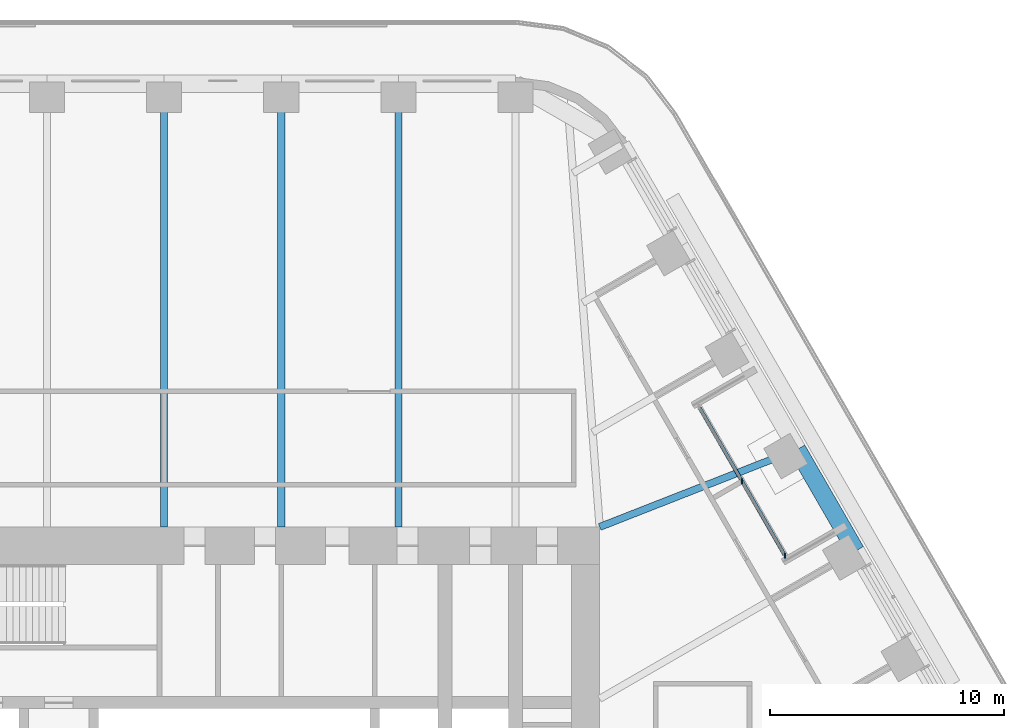
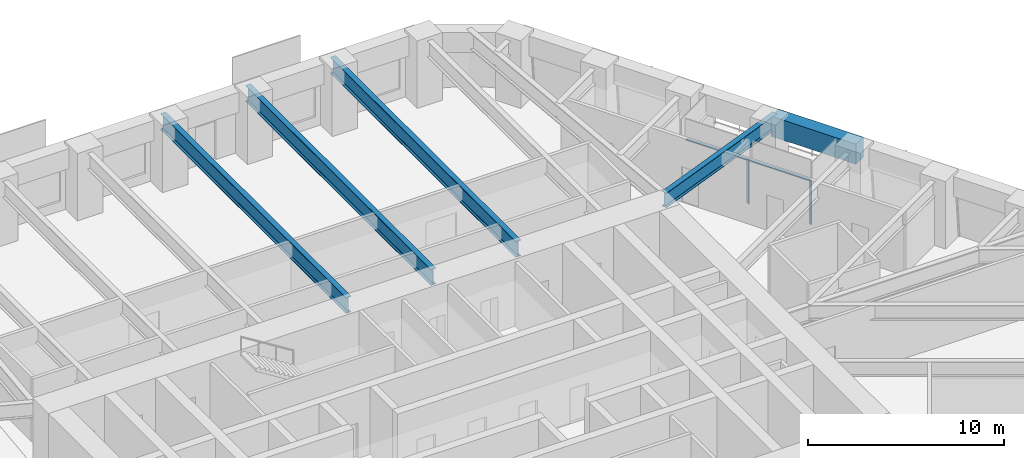
# One storey, part 11 of 24: 5 beams, 3 members, 1 element without a shape of its own.
"""IFC4 building model written with IfcOpenShell, lengths in metres."""

from ifc_helpers import new_model, si_unit, direction, frame, origin, origin_2d, place, context, subcontext, project, spatial, rectangle, i_section, extrude, material, material_profile, profile_set, type_object, element, aggregate, save


model = new_model("IFC4")

# Units and contexts
model_context = context("Model", 3, precision=1e-05, world=origin(), true_north=direction((0.0, 1.0)))
body_context = subcontext(model_context, "Body", "Model", "MODEL_VIEW")
ifc_project = project(units=[si_unit("LENGTHUNIT", "METRE"), si_unit("AREAUNIT", "SQUARE_METRE"), si_unit("VOLUMEUNIT", "CUBIC_METRE"), si_unit("PLANEANGLEUNIT", "RADIAN"), si_unit("MASSUNIT", "GRAM", prefix="KILO")], contexts=[model_context])

# Site, building, storey
site_placement = place(None, origin())
site = spatial("IfcSite", under=ifc_project, at=site_placement, CompositionType="ELEMENT")
building_placement = place(site_placement, origin())
building = spatial("IfcBuilding", under=site, at=building_placement, Name="Tarfa Lantern Tower", CompositionType="ELEMENT")
storey_placement = place(building_placement, frame((0.0, 0.0, 190.89990234375)))
storey = spatial("IfcBuildingStorey", under=building, at=storey_placement, Name="L43", CompositionType="ELEMENT", Elevation=190.89990234375)

# Curtain wall, members
ifc_material_1 = material(Name="Aluminium framed curtain wall", Category="aluminium")
curtain_wall_type = type_object("IfcCurtainWallType", Name="CW10 LOGGIA GLAZING 2750", PredefinedType="USERDEFINED", material=ifc_material_1)
curtain_wall_placement = place(storey_placement, origin())
curtain_wall = element("IfcCurtainWall", 1, at=curtain_wall_placement, inside=storey, type_object=curtain_wall_type, Name="CW10 NEL L43", ObjectType="CURTAIN WALL", PredefinedType="USERDEFINED")
ifc_material_2 = material(Name="Aluminium mullion", Category="aluminium")
ifc_material_profile_1 = material_profile(ifc_material_2, rectangle(XDim=0.06494140625, YDim=0.199951171875, at=origin_2d()), Name="AL MULLION 65x200")
ifc_profile_set_1 = profile_set([ifc_material_profile_1], Name="Aluminium mullion")
member_type_1 = type_object("IfcMemberType", Name="CWM1 MULLION 65x200", PredefinedType="MULLION", material=ifc_profile_set_1)
member_1_placement = place(storey_placement, frame((26.517333984375, 11.070556640625, 0.0), z_axis=(0.0, 0.0, 1.0), x_axis=(1.0, 0.0, 0.0)))
member_1 = element("IfcMember", 2, at=member_1_placement, type_object=member_type_1, Name="CW10 mullion 1", PredefinedType="MULLION", context=body_context, shape_type="SweptSolid", body=[
    extrude(rectangle(XDim=0.06494140625, YDim=0.199951171875, at=origin_2d()), origin(), (0.0, 0.0, 1.0), 2.75),
])
member_2_placement = place(storey_placement, frame((24.681640625, 14.25, 0.0), z_axis=(0.0, 0.0, 1.0), x_axis=(1.0, 0.0, 0.0)))
member_2 = element("IfcMember", 3, at=member_2_placement, type_object=member_type_1, Name="CW10 mullion 2", PredefinedType="MULLION", context=body_context, shape_type="SweptSolid", body=[
    extrude(rectangle(XDim=0.06494140625, YDim=0.199951171875, at=origin_2d()), origin(), (0.0, 0.0, 1.0), 2.75),
])
ifc_material_3 = material(Name="Aluminium transom", Category="aluminium")
ifc_material_profile_2 = material_profile(ifc_material_3, rectangle(XDim=0.14990234375, YDim=0.06494140625, at=origin_2d()), Name="AL TRANSOM 150x65")
ifc_profile_set_2 = profile_set([ifc_material_profile_2], Name="Aluminium transom")
member_type_2 = type_object("IfcMemberType", Name="CWT1 TRANSOM 150x65", PredefinedType="USERDEFINED", material=ifc_profile_set_2)
member_3_placement = place(storey_placement, frame((26.5009765625, 11.098876953125, 2.717529296875), z_axis=(-0.500007048974, 0.866021334019, 0.0), x_axis=(-0.866021334019, -0.500007048974, 0.0)))
member_3 = element("IfcMember", 4, at=member_3_placement, type_object=member_type_2, Name="CW10 transom 1.2", ObjectType="TRANSOM", PredefinedType="USERDEFINED", context=body_context, shape_type="SweptSolid", body=[
    extrude(rectangle(XDim=0.14990234375, YDim=0.06494140625, at=origin_2d()), origin(), (0.0, 0.0, 1.0), 7.27734375),
])
aggregate(curtain_wall, [member_1, member_2, member_3])

# Beams
ifc_material_4 = material(Name="Concrete C80/95", Category="concrete")
ifc_material_profile_3 = material_profile(ifc_material_4, rectangle(XDim=0.75, YDim=1.25, at=origin_2d()), Name="RC 750x1250")
ifc_profile_set_3 = profile_set([ifc_material_profile_3], Name="Concrete C80/95")
beam_type_1 = type_object("IfcBeamType", Name="EB2 RC 750x1250", PredefinedType="SPANDREL", material=ifc_profile_set_3)
beam_1_placement = place(storey_placement, frame((29.5390625, 11.276611328125, 3.375), z_axis=(-0.499964603504, 0.866045838996, 0.0), x_axis=(-0.866045838996, -0.499964603504, 0.0)))
element("IfcBeam", 5, at=beam_1_placement, inside=storey, type_object=beam_type_1, Name="Edge beam NE2", PredefinedType="SPANDREL", context=body_context, shape_type="SweptSolid", body=[
    extrude(rectangle(XDim=0.75, YDim=1.25, at=origin_2d()), origin(), (0.0, 0.0, 1.0), 5.003662109375),
])
ifc_material_5 = material(Name="Steel S460M", Category="steel")
ifc_material_profile_4 = material_profile(ifc_material_5, i_section(OverallWidth=0.302001953125, OverallDepth=1.008056640625, WebThickness=0.02099609375, FlangeThickness=0.0400390625, FilletRadius=0.030029296875, at=origin_2d()), Name="UB1016x305x349")
ifc_profile_set_4 = profile_set([ifc_material_profile_4], Name="Steel S460M")
beam_type_2 = type_object("IfcBeamType", Name="UB1016x305x349", PredefinedType="BEAM", material=ifc_profile_set_4)
for number, where, z_axis, x_axis, name in (
    (6, (10.00732421875, 31.219970703125, 3.49609375), (0.0, -1.0, 0.0), (1.0, 0.0, 0.0), "Floor beam N1"),
    (7, (5.003662109375, 31.219970703125, 3.49609375), (0.0, -1.0, 0.0), (1.0, 0.0, 0.0), "Floor beam N2"),
    (8, (0.0, 31.219970703125, 3.49609375), (0.0, -1.0, 0.0), (1.0, 0.0, 0.0), "Floor beam N3"),
):
    element("IfcBeam", number, at=place(storey_placement, frame(where, z_axis=z_axis, x_axis=x_axis)), inside=storey, type_object=beam_type_2, Name=name, PredefinedType="BEAM", context=body_context, shape_type="SweptSolid", body=[
        extrude(i_section(OverallWidth=0.302001953125, OverallDepth=1.008056640625, WebThickness=0.02099609375, FlangeThickness=0.0400390625, FilletRadius=0.030029296875, at=origin_2d()), origin(), (0.0, 0.0, 1.0), 18.919921875),
    ])
ifc_material_profile_5 = material_profile(ifc_material_5, i_section(OverallWidth=0.305419921875, OverallDepth=0.91845703125, WebThickness=0.017333984375, FlangeThickness=0.02783203125, FilletRadius=0.01904296875, at=origin_2d()), Name="UB914x305x253")
ifc_profile_set_5 = profile_set([ifc_material_profile_5], Name="Steel S460M")
beam_type_3 = type_object("IfcBeamType", Name="UB914x305x253", PredefinedType="BEAM", material=ifc_profile_set_5)
beam_2_placement = place(storey_placement, frame((27.037353515625, 15.610107421875, 3.541015625), z_axis=(-0.930923282782, -0.365214788274, 0.0), x_axis=(0.365214788274, -0.930923282782, 0.0)))
element("IfcBeam", 9, at=beam_2_placement, inside=storey, type_object=beam_type_3, Name="Floor beam NE3", PredefinedType="BEAM", context=body_context, shape_type="SweptSolid", body=[
    extrude(i_section(OverallWidth=0.305419921875, OverallDepth=0.91845703125, WebThickness=0.017333984375, FlangeThickness=0.02783203125, FilletRadius=0.01904296875, at=origin_2d()), origin(), (0.0, 0.0, 1.0), 9.063232421875),
])

save(model, "model.ifc")
